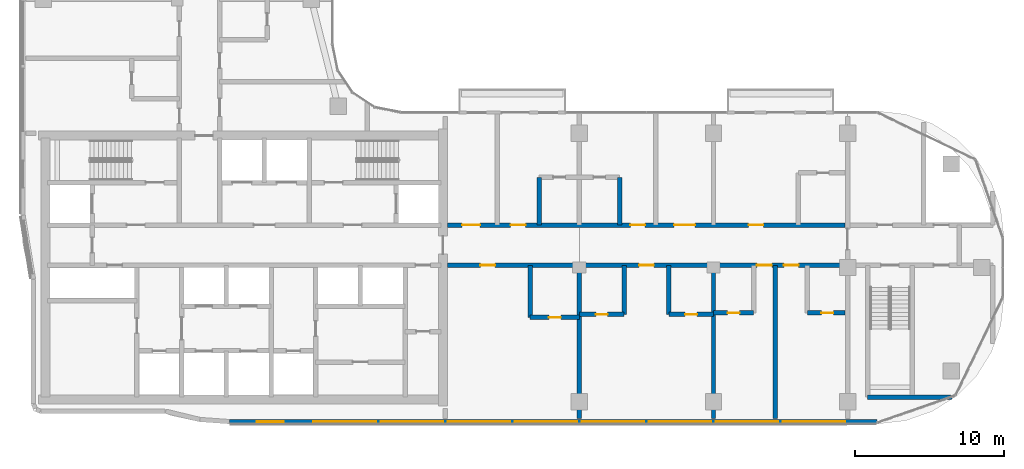
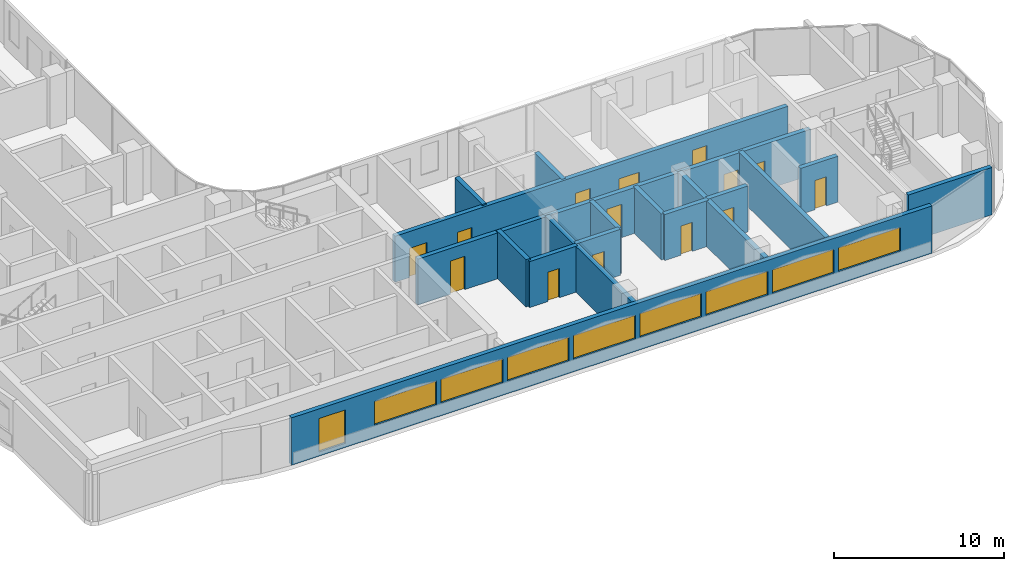
# One storey, part 9 of 22: 17 walls, 14 doors, 9 windows, 23 openings.
"""IFC4 building model written with IfcOpenShell, lengths in metres."""

from ifc_helpers import new_model, si_unit, direction, frame, frame_2d, origin, place, context, subcontext, project, spatial, rectangle, extrude, material, layer, layer_set, type_object, element, fill, save


model = new_model("IFC4")

# Units and contexts
model_context = context("Model", 3, precision=1e-05, world=origin(), true_north=direction((0.0, 1.0)))
body_context = subcontext(model_context, "Body", "Model", "MODEL_VIEW")
ifc_project = project(units=[si_unit("LENGTHUNIT", "METRE"), si_unit("AREAUNIT", "SQUARE_METRE"), si_unit("VOLUMEUNIT", "CUBIC_METRE"), si_unit("PLANEANGLEUNIT", "RADIAN"), si_unit("MASSUNIT", "GRAM", prefix="KILO")], contexts=[model_context])

# Site, building, storey
site_placement = place(None, origin())
site = spatial("IfcSite", under=ifc_project, at=site_placement, CompositionType="ELEMENT")
building_placement = place(site_placement, origin())
building = spatial("IfcBuilding", under=site, at=building_placement, Name="Ogive Portal Towers", CompositionType="ELEMENT")
storey_placement = place(building_placement, frame((0.0, 0.0, 145.89990234375)))
storey = spatial("IfcBuildingStorey", under=building, at=storey_placement, Name="L35", CompositionType="ELEMENT", Elevation=145.89990234375)

# Wall, openings, windows
ifc_material_1 = material(Name="Limestone cladding on lightweight block wall", Category="masonry")
ifc_layer_1 = layer(ifc_material_1, 0.300048828125)
ifc_layer_set_1 = layer_set([ifc_layer_1], Name="EXTERNAL WALL 300 STONE")
wall_type_1 = type_object("IfcWallType", Name="EXTERNAL WALL 300 STONE", PredefinedType="SOLIDWALL", material=ifc_layer_set_1)
wall_1_placement = place(storey_placement, frame((44.0107421875, 20.14990234375, 0.0), z_axis=(0.0, 0.0, 1.0), x_axis=(1.0, 0.0, 0.0)))
wall_1 = element("IfcWall", 1, at=wall_1_placement, inside=storey, type_object=wall_type_1, Name="A:L35:f06:r0:wall", PredefinedType="SOLIDWALL", context=body_context, shape_type="SweptSolid", body=[
    extrude(rectangle(XDim=43.4755859375, YDim=0.300048828125, at=frame_2d((21.73779296875, 0.0))), origin(), (0.0, 0.0, 1.0), 3.400146484375),
])
opening_1_placement = place(wall_1_placement, frame((1.8447265625, 0.0, 0.300048828125)))
opening_1 = element("IfcOpeningElement", 2, at=opening_1_placement, cuts=wall_1, Name="Opening WN10", PredefinedType="OPENING", context=body_context, shape_type="SweptSolid", body=[
    extrude(rectangle(XDim=1.800048828125, YDim=2.39990234375, at=frame_2d((0.89990234375, 1.199951171875))), frame((0.0, 0.16015625, 0.0), z_axis=(0.0, -1.0, 0.0), x_axis=(1.0, 0.0, 0.0)), (0.0, 0.0, 1.0), 0.320068359375),
])
opening_2_placement = place(wall_1_placement, frame((5.639404296875, 0.0, 0.89990234375)))
opening_2 = element("IfcOpeningElement", 3, at=opening_2_placement, cuts=wall_1, Name="Opening WN13", PredefinedType="OPENING", context=body_context, shape_type="SweptSolid", body=[
    extrude(rectangle(XDim=4.199951171875, YDim=1.699951171875, at=frame_2d((2.10009765625, 0.85009765625))), frame((0.0, 0.16015625, 0.0), z_axis=(0.0, -1.0, 0.0), x_axis=(1.0, 0.0, 0.0)), (0.0, 0.0, 1.0), 0.320068359375),
])
opening_3_placement = place(wall_1_placement, frame((10.139404296875, 0.0, 0.89990234375)))
opening_3 = element("IfcOpeningElement", 4, at=opening_3_placement, cuts=wall_1, Name="Opening WN13", PredefinedType="OPENING", context=body_context, shape_type="SweptSolid", body=[
    extrude(rectangle(XDim=4.199951171875, YDim=1.699951171875, at=frame_2d((2.10009765625, 0.85009765625))), frame((0.0, 0.16015625, 0.0), z_axis=(0.0, -1.0, 0.0), x_axis=(1.0, 0.0, 0.0)), (0.0, 0.0, 1.0), 0.320068359375),
])
opening_4_placement = place(wall_1_placement, frame((14.639404296875, 0.0, 0.89990234375)))
opening_4 = element("IfcOpeningElement", 5, at=opening_4_placement, cuts=wall_1, Name="Opening WN13", PredefinedType="OPENING", context=body_context, shape_type="SweptSolid", body=[
    extrude(rectangle(XDim=4.199951171875, YDim=1.699951171875, at=frame_2d((2.10009765625, 0.85009765625))), frame((0.0, 0.16015625, 0.0), z_axis=(0.0, -1.0, 0.0), x_axis=(1.0, 0.0, 0.0)), (0.0, 0.0, 1.0), 0.320068359375),
])
opening_5_placement = place(wall_1_placement, frame((19.139404296875, 0.0, 0.89990234375)))
opening_5 = element("IfcOpeningElement", 6, at=opening_5_placement, cuts=wall_1, Name="Opening WN13", PredefinedType="OPENING", context=body_context, shape_type="SweptSolid", body=[
    extrude(rectangle(XDim=4.199951171875, YDim=1.699951171875, at=frame_2d((2.10009765625, 0.85009765625))), frame((0.0, 0.16015625, 0.0), z_axis=(0.0, -1.0, 0.0), x_axis=(1.0, 0.0, 0.0)), (0.0, 0.0, 1.0), 0.320068359375),
])
opening_6_placement = place(wall_1_placement, frame((23.639404296875, 0.0, 0.89990234375)))
opening_6 = element("IfcOpeningElement", 7, at=opening_6_placement, cuts=wall_1, Name="Opening WN13", PredefinedType="OPENING", context=body_context, shape_type="SweptSolid", body=[
    extrude(rectangle(XDim=4.199951171875, YDim=1.699951171875, at=frame_2d((2.10009765625, 0.85009765625))), frame((0.0, 0.16015625, 0.0), z_axis=(0.0, -1.0, 0.0), x_axis=(1.0, 0.0, 0.0)), (0.0, 0.0, 1.0), 0.320068359375),
])
opening_7_placement = place(wall_1_placement, frame((28.139404296875, 0.0, 0.89990234375)))
opening_7 = element("IfcOpeningElement", 8, at=opening_7_placement, cuts=wall_1, Name="Opening WN13", PredefinedType="OPENING", context=body_context, shape_type="SweptSolid", body=[
    extrude(rectangle(XDim=4.199951171875, YDim=1.699951171875, at=frame_2d((2.10009765625, 0.85009765625))), frame((0.0, 0.16015625, 0.0), z_axis=(0.0, -1.0, 0.0), x_axis=(1.0, 0.0, 0.0)), (0.0, 0.0, 1.0), 0.320068359375),
])
opening_8_placement = place(wall_1_placement, frame((32.639404296875, 0.0, 0.89990234375)))
opening_8 = element("IfcOpeningElement", 9, at=opening_8_placement, cuts=wall_1, Name="Opening WN13", PredefinedType="OPENING", context=body_context, shape_type="SweptSolid", body=[
    extrude(rectangle(XDim=4.199951171875, YDim=1.699951171875, at=frame_2d((2.10009765625, 0.85009765625))), frame((0.0, 0.16015625, 0.0), z_axis=(0.0, -1.0, 0.0), x_axis=(1.0, 0.0, 0.0)), (0.0, 0.0, 1.0), 0.320068359375),
])
opening_9_placement = place(wall_1_placement, frame((37.139404296875, 0.0, 0.89990234375)))
opening_9 = element("IfcOpeningElement", 10, at=opening_9_placement, cuts=wall_1, Name="Opening WN13", PredefinedType="OPENING", context=body_context, shape_type="SweptSolid", body=[
    extrude(rectangle(XDim=4.199951171875, YDim=1.699951171875, at=frame_2d((2.10009765625, 0.85009765625))), frame((0.0, 0.16015625, 0.0), z_axis=(0.0, -1.0, 0.0), x_axis=(1.0, 0.0, 0.0)), (0.0, 0.0, 1.0), 0.320068359375),
])
ifc_material_2 = material(Name="Glass, clear low-iron insulated glazing", Category="glass")
window_type_1 = type_object("IfcWindowType", Name="WINDOW RIBBON LANCET 4200x1700", PartitioningType="TRIPLE_PANEL_VERTICAL", PredefinedType="WINDOW", material=ifc_material_2)
window_1_placement = place(opening_2_placement, origin())
window_1 = element("IfcWindow", 11, at=window_1_placement, inside=storey, type_object=window_type_1, Name="A:L35:f06:r0:w1", OverallHeight=1.699951171875, OverallWidth=4.199951171875, PartitioningType="SINGLE_PANEL", PredefinedType="WINDOW", context=body_context, shape_type="SweptSolid", body=[
    extrude(rectangle(XDim=4.199951171875, YDim=1.699951171875, at=frame_2d((2.10009765625, 0.85009765625))), frame((0.0, 0.030029296875, 0.0), z_axis=(0.0, -1.0, 0.0), x_axis=(1.0, 0.0, 0.0)), (0.0, 0.0, 1.0), 0.06005859375),
])
fill(opening_2, window_1)
window_2_placement = place(opening_3_placement, origin())
window_2 = element("IfcWindow", 12, at=window_2_placement, inside=storey, type_object=window_type_1, Name="A:L35:f06:r0:w2", OverallHeight=1.699951171875, OverallWidth=4.199951171875, PartitioningType="SINGLE_PANEL", PredefinedType="WINDOW", context=body_context, shape_type="SweptSolid", body=[
    extrude(rectangle(XDim=4.199951171875, YDim=1.699951171875, at=frame_2d((2.10009765625, 0.85009765625))), frame((0.0, 0.030029296875, 0.0), z_axis=(0.0, -1.0, 0.0), x_axis=(1.0, 0.0, 0.0)), (0.0, 0.0, 1.0), 0.06005859375),
])
fill(opening_3, window_2)
window_3_placement = place(opening_4_placement, origin())
window_3 = element("IfcWindow", 13, at=window_3_placement, inside=storey, type_object=window_type_1, Name="A:L35:f06:r0:w3", OverallHeight=1.699951171875, OverallWidth=4.199951171875, PartitioningType="SINGLE_PANEL", PredefinedType="WINDOW", context=body_context, shape_type="SweptSolid", body=[
    extrude(rectangle(XDim=4.199951171875, YDim=1.699951171875, at=frame_2d((2.10009765625, 0.85009765625))), frame((0.0, 0.030029296875, 0.0), z_axis=(0.0, -1.0, 0.0), x_axis=(1.0, 0.0, 0.0)), (0.0, 0.0, 1.0), 0.06005859375),
])
fill(opening_4, window_3)
window_4_placement = place(opening_5_placement, origin())
window_4 = element("IfcWindow", 14, at=window_4_placement, inside=storey, type_object=window_type_1, Name="A:L35:f06:r0:w4", OverallHeight=1.699951171875, OverallWidth=4.199951171875, PartitioningType="SINGLE_PANEL", PredefinedType="WINDOW", context=body_context, shape_type="SweptSolid", body=[
    extrude(rectangle(XDim=4.199951171875, YDim=1.699951171875, at=frame_2d((2.10009765625, 0.85009765625))), frame((0.0, 0.030029296875, 0.0), z_axis=(0.0, -1.0, 0.0), x_axis=(1.0, 0.0, 0.0)), (0.0, 0.0, 1.0), 0.06005859375),
])
fill(opening_5, window_4)
window_5_placement = place(opening_6_placement, origin())
window_5 = element("IfcWindow", 15, at=window_5_placement, inside=storey, type_object=window_type_1, Name="A:L35:f06:r0:w5", OverallHeight=1.699951171875, OverallWidth=4.199951171875, PartitioningType="SINGLE_PANEL", PredefinedType="WINDOW", context=body_context, shape_type="SweptSolid", body=[
    extrude(rectangle(XDim=4.199951171875, YDim=1.699951171875, at=frame_2d((2.10009765625, 0.85009765625))), frame((0.0, 0.030029296875, 0.0), z_axis=(0.0, -1.0, 0.0), x_axis=(1.0, 0.0, 0.0)), (0.0, 0.0, 1.0), 0.06005859375),
])
fill(opening_6, window_5)
window_6_placement = place(opening_7_placement, origin())
window_6 = element("IfcWindow", 16, at=window_6_placement, inside=storey, type_object=window_type_1, Name="A:L35:f06:r0:w6", OverallHeight=1.699951171875, OverallWidth=4.199951171875, PartitioningType="SINGLE_PANEL", PredefinedType="WINDOW", context=body_context, shape_type="SweptSolid", body=[
    extrude(rectangle(XDim=4.199951171875, YDim=1.699951171875, at=frame_2d((2.10009765625, 0.85009765625))), frame((0.0, 0.030029296875, 0.0), z_axis=(0.0, -1.0, 0.0), x_axis=(1.0, 0.0, 0.0)), (0.0, 0.0, 1.0), 0.06005859375),
])
fill(opening_7, window_6)
window_7_placement = place(opening_8_placement, origin())
window_7 = element("IfcWindow", 17, at=window_7_placement, inside=storey, type_object=window_type_1, Name="A:L35:f06:r0:w7", OverallHeight=1.699951171875, OverallWidth=4.199951171875, PartitioningType="SINGLE_PANEL", PredefinedType="WINDOW", context=body_context, shape_type="SweptSolid", body=[
    extrude(rectangle(XDim=4.199951171875, YDim=1.699951171875, at=frame_2d((2.10009765625, 0.85009765625))), frame((0.0, 0.030029296875, 0.0), z_axis=(0.0, -1.0, 0.0), x_axis=(1.0, 0.0, 0.0)), (0.0, 0.0, 1.0), 0.06005859375),
])
fill(opening_8, window_7)
window_8_placement = place(opening_9_placement, origin())
window_8 = element("IfcWindow", 18, at=window_8_placement, inside=storey, type_object=window_type_1, Name="A:L35:f06:r0:w8", OverallHeight=1.699951171875, OverallWidth=4.199951171875, PartitioningType="SINGLE_PANEL", PredefinedType="WINDOW", context=body_context, shape_type="SweptSolid", body=[
    extrude(rectangle(XDim=4.199951171875, YDim=1.699951171875, at=frame_2d((2.10009765625, 0.85009765625))), frame((0.0, 0.030029296875, 0.0), z_axis=(0.0, -1.0, 0.0), x_axis=(1.0, 0.0, 0.0)), (0.0, 0.0, 1.0), 0.06005859375),
])
fill(opening_9, window_8)
window_type_2 = type_object("IfcWindowType", Name="WINDOW SUITE CORNER 1800x2400", PartitioningType="DOUBLE_PANEL_VERTICAL", PredefinedType="WINDOW", material=ifc_material_2)
window_9_placement = place(opening_1_placement, origin())
window_9 = element("IfcWindow", 19, at=window_9_placement, inside=storey, type_object=window_type_2, Name="A:L35:f06:r0:w0", OverallHeight=2.39990234375, OverallWidth=1.800048828125, PartitioningType="SINGLE_PANEL", PredefinedType="WINDOW", context=body_context, shape_type="SweptSolid", body=[
    extrude(rectangle(XDim=1.800048828125, YDim=2.39990234375, at=frame_2d((0.89990234375, 1.199951171875))), frame((0.0, 0.030029296875, 0.0), z_axis=(0.0, -1.0, 0.0), x_axis=(1.0, 0.0, 0.0)), (0.0, 0.0, 1.0), 0.06005859375),
])
fill(opening_1, window_9)

# Wall
ifc_material_3 = material(Name="Concrete C50/60", Category="concrete")
ifc_layer_2 = layer(ifc_material_3, 0.300048828125)
ifc_layer_set_2 = layer_set([ifc_layer_2], Name="STAIR WALL 300 C50")
wall_type_2 = type_object("IfcWallType", Name="STAIR WALL 300 C50", PredefinedType="SHEAR", material=ifc_layer_set_2)
wall_2_placement = place(storey_placement, frame((86.85009765625, 21.800048828125, 0.0), z_axis=(0.0, 0.0, 1.0), x_axis=(1.0, 0.0, 0.0)))
element("IfcWall", 20, at=wall_2_placement, inside=storey, type_object=wall_type_2, Name="Stair wall ST-A4 L35", PredefinedType="SHEAR", context=body_context, shape_type="SweptSolid", body=[
    extrude(rectangle(XDim=5.664794921875, YDim=0.300048828125, at=frame_2d((2.83251953125, 0.0))), origin(), (0.0, 0.0, 1.0), 3.400146484375),
])

# Wall, openings, doors
ifc_material_4 = material(Name="Gypsum board partition on steel studs", Category="steel")
ifc_layer_3 = layer(ifc_material_4, 0.300048828125)
ifc_layer_set_3 = layer_set([ifc_layer_3], Name="WT-PART-300-EI 120")
wall_type_3 = type_object("IfcWallType", Name="WT-PART-300-EI 120", PredefinedType="PARTITIONING", material=ifc_layer_set_3)
wall_3_placement = place(storey_placement, frame((58.64990234375, 30.64990234375, 0.0), z_axis=(0.0, 0.0, 1.0), x_axis=(1.0, 0.0, 0.0)))
wall_3 = element("IfcWall", 21, at=wall_3_placement, inside=storey, type_object=wall_type_3, Name="Wall L35:w007", PredefinedType="PARTITIONING", context=body_context, shape_type="SweptSolid", body=[
    extrude(rectangle(XDim=26.68017578125, YDim=0.300048828125, at=frame_2d((13.340087890625, 0.0))), origin(), (0.0, 0.0, 1.0), 3.300048828125),
])
opening_10_placement = place(wall_3_placement, frame((2.199951171875, 0.0, 0.0)))
opening_10 = element("IfcOpeningElement", 22, at=opening_10_placement, cuts=wall_3, Name="Opening D13-030", PredefinedType="OPENING", context=body_context, shape_type="SweptSolid", body=[
    extrude(rectangle(XDim=1.0, YDim=2.39990234375, at=frame_2d((0.5, 1.199951171875))), frame((0.0, 0.16015625, 0.0), z_axis=(0.0, -1.0, 0.0), x_axis=(1.0, 0.0, 0.0)), (0.0, 0.0, 1.0), 0.320068359375),
])
opening_11_placement = place(wall_3_placement, frame((12.85009765625, 0.0, 0.0)))
opening_11 = element("IfcOpeningElement", 23, at=opening_11_placement, cuts=wall_3, Name="Opening D13-036", PredefinedType="OPENING", context=body_context, shape_type="SweptSolid", body=[
    extrude(rectangle(XDim=1.0, YDim=2.39990234375, at=frame_2d((0.5, 1.199951171875))), frame((0.0, 0.16015625, 0.0), z_axis=(0.0, -1.0, 0.0), x_axis=(1.0, 0.0, 0.0)), (0.0, 0.0, 1.0), 0.320068359375),
])
opening_12_placement = place(wall_3_placement, frame((20.77001953125, 0.0, 0.0)))
opening_12 = element("IfcOpeningElement", 24, at=opening_12_placement, cuts=wall_3, Name="Opening D13-040", PredefinedType="OPENING", context=body_context, shape_type="SweptSolid", body=[
    extrude(rectangle(XDim=1.0, YDim=2.10009765625, at=frame_2d((0.5, 1.050048828125))), frame((0.0, 0.16015625, 0.0), z_axis=(0.0, -1.0, 0.0), x_axis=(1.0, 0.0, 0.0)), (0.0, 0.0, 1.0), 0.320068359375),
])
opening_13_placement = place(wall_3_placement, frame((22.570068359375, 0.0, 0.0)))
opening_13 = element("IfcOpeningElement", 25, at=opening_13_placement, cuts=wall_3, Name="Opening D13-042", PredefinedType="OPENING", context=body_context, shape_type="SweptSolid", body=[
    extrude(rectangle(XDim=1.0, YDim=2.10009765625, at=frame_2d((0.5, 1.050048828125))), frame((0.0, 0.16015625, 0.0), z_axis=(0.0, -1.0, 0.0), x_axis=(1.0, 0.0, 0.0)), (0.0, 0.0, 1.0), 0.320068359375),
])
ifc_material_5 = material(Name="Steel fire door", Category="steel")
door_type_1 = type_object("IfcDoorType", Name="DT-ENTRY-1000x2100-FD90S", OperationType="SINGLE_SWING_LEFT", PredefinedType="DOOR", material=ifc_material_5)
door_1_placement = place(opening_12_placement, origin())
door_1 = element("IfcDoor", 26, at=door_1_placement, inside=storey, type_object=door_type_1, Name="Door D13-040", OperationType="SINGLE_SWING_LEFT", OverallHeight=2.10009765625, OverallWidth=1.0, PredefinedType="DOOR", context=body_context, shape_type="SweptSolid", body=[
    extrude(rectangle(XDim=1.0, YDim=2.10009765625, at=frame_2d((0.5, 1.050048828125))), frame((0.0, 0.02490234375, 0.0), z_axis=(0.0, -1.0, 0.0), x_axis=(1.0, 0.0, 0.0)), (0.0, 0.0, 1.0), 0.050048828125),
])
fill(opening_12, door_1)
door_2_placement = place(opening_13_placement, origin())
door_2 = element("IfcDoor", 27, at=door_2_placement, inside=storey, type_object=door_type_1, Name="Door D13-042", OperationType="SINGLE_SWING_LEFT", OverallHeight=2.10009765625, OverallWidth=1.0, PredefinedType="DOOR", context=body_context, shape_type="SweptSolid", body=[
    extrude(rectangle(XDim=1.0, YDim=2.10009765625, at=frame_2d((0.5, 1.050048828125))), frame((0.0, 0.02490234375, 0.0), z_axis=(0.0, -1.0, 0.0), x_axis=(1.0, 0.0, 0.0)), (0.0, 0.0, 1.0), 0.050048828125),
])
fill(opening_13, door_2)
door_type_2 = type_object("IfcDoorType", Name="DT-ENTRY-1000x2400-FD90S", OperationType="SINGLE_SWING_LEFT", PredefinedType="DOOR", material=ifc_material_5)
door_3_placement = place(opening_10_placement, origin())
door_3 = element("IfcDoor", 28, at=door_3_placement, inside=storey, type_object=door_type_2, Name="Door D13-030", OperationType="SINGLE_SWING_LEFT", OverallHeight=2.39990234375, OverallWidth=1.0, PredefinedType="DOOR", context=body_context, shape_type="SweptSolid", body=[
    extrude(rectangle(XDim=1.0, YDim=2.39990234375, at=frame_2d((0.5, 1.199951171875))), frame((0.0, 0.02490234375, 0.0), z_axis=(0.0, -1.0, 0.0), x_axis=(1.0, 0.0, 0.0)), (0.0, 0.0, 1.0), 0.050048828125),
])
fill(opening_10, door_3)
door_4_placement = place(opening_11_placement, origin())
door_4 = element("IfcDoor", 29, at=door_4_placement, inside=storey, type_object=door_type_2, Name="Door D13-036", OperationType="SINGLE_SWING_RIGHT", OverallHeight=2.39990234375, OverallWidth=1.0, PredefinedType="DOOR", context=body_context, shape_type="SweptSolid", body=[
    extrude(rectangle(XDim=1.0, YDim=2.39990234375, at=frame_2d((0.5, 1.199951171875))), frame((0.0, 0.02490234375, 0.0), z_axis=(0.0, -1.0, 0.0), x_axis=(1.0, 0.0, 0.0)), (0.0, 0.0, 1.0), 0.050048828125),
])
fill(opening_11, door_4)

wall_4_placement = place(storey_placement, frame((58.64990234375, 33.35009765625, 0.0), z_axis=(0.0, 0.0, 1.0), x_axis=(1.0, 0.0, 0.0)))
wall_4 = element("IfcWall", 30, at=wall_4_placement, inside=storey, type_object=wall_type_3, Name="Wall L35:w009", PredefinedType="PARTITIONING", context=body_context, shape_type="SweptSolid", body=[
    extrude(rectangle(XDim=26.68017578125, YDim=0.300048828125, at=frame_2d((13.340087890625, 0.0))), origin(), (0.0, 0.0, 1.0), 3.300048828125),
])
opening_14_placement = place(wall_4_placement, frame((0.985107421875, 0.0, 0.0)))
opening_14 = element("IfcOpeningElement", 31, at=opening_14_placement, cuts=wall_4, Name="Opening D13-026", PredefinedType="OPENING", context=body_context, shape_type="SweptSolid", body=[
    extrude(rectangle(XDim=1.199951171875, YDim=2.10009765625, at=frame_2d((0.60009765625, 1.050048828125))), frame((0.0, 0.16015625, 0.0), z_axis=(0.0, -1.0, 0.0), x_axis=(1.0, 0.0, 0.0)), (0.0, 0.0, 1.0), 0.320068359375),
])
opening_15_placement = place(wall_4_placement, frame((4.235107421875, 0.0, 0.0)))
opening_15 = element("IfcOpeningElement", 32, at=opening_15_placement, cuts=wall_4, Name="Opening D13-028", PredefinedType="OPENING", context=body_context, shape_type="SweptSolid", body=[
    extrude(rectangle(XDim=1.0, YDim=2.10009765625, at=frame_2d((0.5, 1.050048828125))), frame((0.0, 0.16015625, 0.0), z_axis=(0.0, -1.0, 0.0), x_axis=(1.0, 0.0, 0.0)), (0.0, 0.0, 1.0), 0.320068359375),
])
opening_16_placement = place(wall_4_placement, frame((12.264892578125, 0.0, 0.0)))
opening_16 = element("IfcOpeningElement", 33, at=opening_16_placement, cuts=wall_4, Name="Opening D13-032", PredefinedType="OPENING", context=body_context, shape_type="SweptSolid", body=[
    extrude(rectangle(XDim=1.0, YDim=2.10009765625, at=frame_2d((0.5, 1.050048828125))), frame((0.0, 0.16015625, 0.0), z_axis=(0.0, -1.0, 0.0), x_axis=(1.0, 0.0, 0.0)), (0.0, 0.0, 1.0), 0.320068359375),
])
opening_17_placement = place(wall_4_placement, frame((15.215087890625, 0.0, 0.0)))
opening_17 = element("IfcOpeningElement", 34, at=opening_17_placement, cuts=wall_4, Name="Opening D13-033", PredefinedType="OPENING", context=body_context, shape_type="SweptSolid", body=[
    extrude(rectangle(XDim=1.39990234375, YDim=2.10009765625, at=frame_2d((0.699951171875, 1.050048828125))), frame((0.0, 0.16015625, 0.0), z_axis=(0.0, -1.0, 0.0), x_axis=(1.0, 0.0, 0.0)), (0.0, 0.0, 1.0), 0.320068359375),
])
opening_18_placement = place(wall_4_placement, frame((20.199951171875, 0.0, 0.0)))
opening_18 = element("IfcOpeningElement", 35, at=opening_18_placement, cuts=wall_4, Name="Opening D13-038", PredefinedType="OPENING", context=body_context, shape_type="SweptSolid", body=[
    extrude(rectangle(XDim=1.0, YDim=2.39990234375, at=frame_2d((0.5, 1.199951171875))), frame((0.0, 0.16015625, 0.0), z_axis=(0.0, -1.0, 0.0), x_axis=(1.0, 0.0, 0.0)), (0.0, 0.0, 1.0), 0.320068359375),
])
door_5_placement = place(opening_15_placement, origin())
door_5 = element("IfcDoor", 36, at=door_5_placement, inside=storey, type_object=door_type_1, Name="Door D13-028", OperationType="SINGLE_SWING_LEFT", OverallHeight=2.10009765625, OverallWidth=1.0, PredefinedType="DOOR", context=body_context, shape_type="SweptSolid", body=[
    extrude(rectangle(XDim=1.0, YDim=2.10009765625, at=frame_2d((0.5, 1.050048828125))), frame((0.0, 0.02490234375, 0.0), z_axis=(0.0, -1.0, 0.0), x_axis=(1.0, 0.0, 0.0)), (0.0, 0.0, 1.0), 0.050048828125),
])
fill(opening_15, door_5)
door_6_placement = place(opening_16_placement, origin())
door_6 = element("IfcDoor", 37, at=door_6_placement, inside=storey, type_object=door_type_1, Name="Door D13-032", OperationType="SINGLE_SWING_RIGHT", OverallHeight=2.10009765625, OverallWidth=1.0, PredefinedType="DOOR", context=body_context, shape_type="SweptSolid", body=[
    extrude(rectangle(XDim=1.0, YDim=2.10009765625, at=frame_2d((0.5, 1.050048828125))), frame((0.0, 0.02490234375, 0.0), z_axis=(0.0, -1.0, 0.0), x_axis=(1.0, 0.0, 0.0)), (0.0, 0.0, 1.0), 0.050048828125),
])
fill(opening_16, door_6)
door_7_placement = place(opening_18_placement, origin())
door_7 = element("IfcDoor", 38, at=door_7_placement, inside=storey, type_object=door_type_2, Name="Door D13-038", OperationType="SINGLE_SWING_RIGHT", OverallHeight=2.39990234375, OverallWidth=1.0, PredefinedType="DOOR", context=body_context, shape_type="SweptSolid", body=[
    extrude(rectangle(XDim=1.0, YDim=2.39990234375, at=frame_2d((0.5, 1.199951171875))), frame((0.0, 0.02490234375, 0.0), z_axis=(0.0, -1.0, 0.0), x_axis=(1.0, 0.0, 0.0)), (0.0, 0.0, 1.0), 0.050048828125),
])
fill(opening_18, door_7)
door_type_3 = type_object("IfcDoorType", Name="DT-ENTRY-1200x2100-FD90S", OperationType="SINGLE_SWING_LEFT", PredefinedType="DOOR", material=ifc_material_5)
door_8_placement = place(opening_14_placement, origin())
door_8 = element("IfcDoor", 39, at=door_8_placement, inside=storey, type_object=door_type_3, Name="Door D13-026", OperationType="SINGLE_SWING_LEFT", OverallHeight=2.10009765625, OverallWidth=1.199951171875, PredefinedType="DOOR", context=body_context, shape_type="SweptSolid", body=[
    extrude(rectangle(XDim=1.199951171875, YDim=2.10009765625, at=frame_2d((0.60009765625, 1.050048828125))), frame((0.0, 0.02490234375, 0.0), z_axis=(0.0, -1.0, 0.0), x_axis=(1.0, 0.0, 0.0)), (0.0, 0.0, 1.0), 0.050048828125),
])
fill(opening_14, door_8)
door_type_4 = type_object("IfcDoorType", Name="DT-ENTRY-1400x2100-FD90S", OperationType="SINGLE_SWING_LEFT", PredefinedType="DOOR", material=ifc_material_5)
door_9_placement = place(opening_17_placement, origin())
door_9 = element("IfcDoor", 40, at=door_9_placement, inside=storey, type_object=door_type_4, Name="Door D13-033", OperationType="SINGLE_SWING_LEFT", OverallHeight=2.10009765625, OverallWidth=1.39990234375, PredefinedType="DOOR", context=body_context, shape_type="SweptSolid", body=[
    extrude(rectangle(XDim=1.39990234375, YDim=2.10009765625, at=frame_2d((0.699951171875, 1.050048828125))), frame((0.0, 0.02490234375, 0.0), z_axis=(0.0, -1.0, 0.0), x_axis=(1.0, 0.0, 0.0)), (0.0, 0.0, 1.0), 0.050048828125),
])
fill(opening_17, door_9)

# Wall, opening, door
ifc_layer_4 = layer(ifc_material_4, 0.300048828125)
ifc_layer_set_4 = layer_set([ifc_layer_4], Name="WT-PART-300-EI 60")
wall_type_4 = type_object("IfcWallType", Name="WT-PART-300-EI 60", PredefinedType="PARTITIONING", material=ifc_layer_set_4)
wall_5_placement = place(storey_placement, frame((64.199951171875, 27.14990234375, 0.0), z_axis=(0.0, 0.0, 1.0), x_axis=(1.0, 0.0, 0.0)))
wall_5 = element("IfcWall", 41, at=wall_5_placement, inside=storey, type_object=wall_type_4, Name="Wall L35:w002", PredefinedType="PARTITIONING", context=body_context, shape_type="SweptSolid", body=[
    extrude(rectangle(XDim=3.300048828125, YDim=0.300048828125, at=frame_2d((1.64990234375, 0.0))), origin(), (0.0, 0.0, 1.0), 3.300048828125),
])
opening_19_placement = place(wall_5_placement, frame((1.25, 0.0, 0.0)))
opening_19 = element("IfcOpeningElement", 42, at=opening_19_placement, cuts=wall_5, Name="Opening D13-029", PredefinedType="OPENING", context=body_context, shape_type="SweptSolid", body=[
    extrude(rectangle(XDim=0.800048828125, YDim=2.10009765625, at=frame_2d((0.39990234375, 1.050048828125))), frame((0.0, 0.16015625, 0.0), z_axis=(0.0, -1.0, 0.0), x_axis=(1.0, 0.0, 0.0)), (0.0, 0.0, 1.0), 0.320068359375),
])
door_type_5 = type_object("IfcDoorType", Name="DT-BATH-800x2100-FD60S", OperationType="SINGLE_SWING_LEFT", PredefinedType="DOOR", material=ifc_material_5)
door_10_placement = place(opening_19_placement, origin())
door_10 = element("IfcDoor", 43, at=door_10_placement, inside=storey, type_object=door_type_5, Name="Door D13-029", OperationType="SINGLE_SWING_LEFT", OverallHeight=2.10009765625, OverallWidth=0.800048828125, PredefinedType="DOOR", context=body_context, shape_type="SweptSolid", body=[
    extrude(rectangle(XDim=0.800048828125, YDim=2.10009765625, at=frame_2d((0.39990234375, 1.050048828125))), frame((0.0, 0.02490234375, 0.0), z_axis=(0.0, -1.0, 0.0), x_axis=(1.0, 0.0, 0.0)), (0.0, 0.0, 1.0), 0.050048828125),
])
fill(opening_19, door_10)

wall_6_placement = place(storey_placement, frame((67.5, 27.35009765625, 0.0), z_axis=(0.0, 0.0, 1.0), x_axis=(1.0, 0.0, 0.0)))
wall_6 = element("IfcWall", 44, at=wall_6_placement, inside=storey, type_object=wall_type_4, Name="Wall L35:w003", PredefinedType="PARTITIONING", context=body_context, shape_type="SweptSolid", body=[
    extrude(rectangle(XDim=3.0, YDim=0.300048828125, at=frame_2d((1.5, 0.0))), origin(), (0.0, 0.0, 1.0), 3.300048828125),
])
opening_20_placement = place(wall_6_placement, frame((1.10009765625, 0.0, 0.0)))
opening_20 = element("IfcOpeningElement", 45, at=opening_20_placement, cuts=wall_6, Name="Opening D13-034", PredefinedType="OPENING", context=body_context, shape_type="SweptSolid", body=[
    extrude(rectangle(XDim=0.800048828125, YDim=2.10009765625, at=frame_2d((0.39990234375, 1.050048828125))), frame((0.0, 0.16015625, 0.0), z_axis=(0.0, -1.0, 0.0), x_axis=(1.0, 0.0, 0.0)), (0.0, 0.0, 1.0), 0.320068359375),
])
door_11_placement = place(opening_20_placement, origin())
door_11 = element("IfcDoor", 46, at=door_11_placement, inside=storey, type_object=door_type_5, Name="Door D13-034", OperationType="SINGLE_SWING_LEFT", OverallHeight=2.10009765625, OverallWidth=0.800048828125, PredefinedType="DOOR", context=body_context, shape_type="SweptSolid", body=[
    extrude(rectangle(XDim=0.800048828125, YDim=2.10009765625, at=frame_2d((0.39990234375, 1.050048828125))), frame((0.0, 0.02490234375, 0.0), z_axis=(0.0, -1.0, 0.0), x_axis=(1.0, 0.0, 0.0)), (0.0, 0.0, 1.0), 0.050048828125),
])
fill(opening_20, door_11)

wall_7_placement = place(storey_placement, frame((73.5, 27.35009765625, 0.0), z_axis=(0.0, 0.0, 1.0), x_axis=(1.0, 0.0, 0.0)))
wall_7 = element("IfcWall", 47, at=wall_7_placement, inside=storey, type_object=wall_type_4, Name="Wall L35:w004", PredefinedType="PARTITIONING", context=body_context, shape_type="SweptSolid", body=[
    extrude(rectangle(XDim=3.0, YDim=0.300048828125, at=frame_2d((1.5, 0.0))), origin(), (0.0, 0.0, 1.0), 3.300048828125),
])
opening_21_placement = place(wall_7_placement, frame((1.10009765625, 0.0, 0.0)))
opening_21 = element("IfcOpeningElement", 48, at=opening_21_placement, cuts=wall_7, Name="Opening D13-035", PredefinedType="OPENING", context=body_context, shape_type="SweptSolid", body=[
    extrude(rectangle(XDim=0.800048828125, YDim=2.10009765625, at=frame_2d((0.39990234375, 1.050048828125))), frame((0.0, 0.16015625, 0.0), z_axis=(0.0, -1.0, 0.0), x_axis=(1.0, 0.0, 0.0)), (0.0, 0.0, 1.0), 0.320068359375),
])
door_12_placement = place(opening_21_placement, origin())
door_12 = element("IfcDoor", 49, at=door_12_placement, inside=storey, type_object=door_type_5, Name="Door D13-035", OperationType="SINGLE_SWING_LEFT", OverallHeight=2.10009765625, OverallWidth=0.800048828125, PredefinedType="DOOR", context=body_context, shape_type="SweptSolid", body=[
    extrude(rectangle(XDim=0.800048828125, YDim=2.10009765625, at=frame_2d((0.39990234375, 1.050048828125))), frame((0.0, 0.02490234375, 0.0), z_axis=(0.0, -1.0, 0.0), x_axis=(1.0, 0.0, 0.0)), (0.0, 0.0, 1.0), 0.050048828125),
])
fill(opening_21, door_12)

wall_8_placement = place(storey_placement, frame((76.5, 27.449951171875, 0.0), z_axis=(0.0, 0.0, 1.0), x_axis=(1.0, 0.0, 0.0)))
wall_8 = element("IfcWall", 50, at=wall_8_placement, inside=storey, type_object=wall_type_4, Name="Wall L35:w005", PredefinedType="PARTITIONING", context=body_context, shape_type="SweptSolid", body=[
    extrude(rectangle(XDim=2.699951171875, YDim=0.300048828125, at=frame_2d((1.35009765625, 0.0))), origin(), (0.0, 0.0, 1.0), 3.300048828125),
])
opening_22_placement = place(wall_8_placement, frame((0.949951171875, 0.0, 0.0)))
opening_22 = element("IfcOpeningElement", 51, at=opening_22_placement, cuts=wall_8, Name="Opening D13-039", PredefinedType="OPENING", context=body_context, shape_type="SweptSolid", body=[
    extrude(rectangle(XDim=0.800048828125, YDim=2.10009765625, at=frame_2d((0.39990234375, 1.050048828125))), frame((0.0, 0.16015625, 0.0), z_axis=(0.0, -1.0, 0.0), x_axis=(1.0, 0.0, 0.0)), (0.0, 0.0, 1.0), 0.320068359375),
])
door_13_placement = place(opening_22_placement, origin())
door_13 = element("IfcDoor", 52, at=door_13_placement, inside=storey, type_object=door_type_5, Name="Door D13-039", OperationType="SINGLE_SWING_RIGHT", OverallHeight=2.10009765625, OverallWidth=0.800048828125, PredefinedType="DOOR", context=body_context, shape_type="SweptSolid", body=[
    extrude(rectangle(XDim=0.800048828125, YDim=2.10009765625, at=frame_2d((0.39990234375, 1.050048828125))), frame((0.0, 0.02490234375, 0.0), z_axis=(0.0, -1.0, 0.0), x_axis=(1.0, 0.0, 0.0)), (0.0, 0.0, 1.0), 0.050048828125),
])
fill(opening_22, door_13)

wall_9_placement = place(storey_placement, frame((82.800048828125, 27.449951171875, 0.0), z_axis=(0.0, 0.0, 1.0), x_axis=(1.0, 0.0, 0.0)))
wall_9 = element("IfcWall", 53, at=wall_9_placement, inside=storey, type_object=wall_type_4, Name="Wall L35:w006", PredefinedType="PARTITIONING", context=body_context, shape_type="SweptSolid", body=[
    extrude(rectangle(XDim=2.530029296875, YDim=0.300048828125, at=frame_2d((1.26513671875, 0.0))), origin(), (0.0, 0.0, 1.0), 3.300048828125),
])
opening_23_placement = place(wall_9_placement, frame((0.949951171875, 0.0, 0.0)))
opening_23 = element("IfcOpeningElement", 54, at=opening_23_placement, cuts=wall_9, Name="Opening D13-041", PredefinedType="OPENING", context=body_context, shape_type="SweptSolid", body=[
    extrude(rectangle(XDim=0.800048828125, YDim=2.10009765625, at=frame_2d((0.39990234375, 1.050048828125))), frame((0.0, 0.16015625, 0.0), z_axis=(0.0, -1.0, 0.0), x_axis=(1.0, 0.0, 0.0)), (0.0, 0.0, 1.0), 0.320068359375),
])
door_14_placement = place(opening_23_placement, origin())
door_14 = element("IfcDoor", 55, at=door_14_placement, inside=storey, type_object=door_type_5, Name="Door D13-041", OperationType="SINGLE_SWING_LEFT", OverallHeight=2.10009765625, OverallWidth=0.800048828125, PredefinedType="DOOR", context=body_context, shape_type="SweptSolid", body=[
    extrude(rectangle(XDim=0.800048828125, YDim=2.10009765625, at=frame_2d((0.39990234375, 1.050048828125))), frame((0.0, 0.02490234375, 0.0), z_axis=(0.0, -1.0, 0.0), x_axis=(1.0, 0.0, 0.0)), (0.0, 0.0, 1.0), 0.050048828125),
])
fill(opening_23, door_14)

# Walls
wall_10_placement = place(storey_placement, frame((64.199951171875, 27.14990234375, 0.0), z_axis=(0.0, 0.0, 1.0), x_axis=(0.0, 1.0, 0.0)))
element("IfcWall", 56, at=wall_10_placement, inside=storey, type_object=wall_type_4, Name="Wall L35:w045", PredefinedType="PARTITIONING", context=body_context, shape_type="SweptSolid", body=[
    extrude(rectangle(XDim=3.5, YDim=0.300048828125, at=frame_2d((1.75, 0.0))), origin(), (0.0, 0.0, 1.0), 3.400146484375),
])
wall_11_placement = place(storey_placement, frame((64.800048828125, 33.35009765625, 0.0), z_axis=(0.0, 0.0, 1.0), x_axis=(0.0, 1.0, 0.0)))
element("IfcWall", 57, at=wall_11_placement, inside=storey, type_object=wall_type_4, Name="Wall L35:w046", PredefinedType="PARTITIONING", context=body_context, shape_type="SweptSolid", body=[
    extrude(rectangle(XDim=3.199951171875, YDim=0.300048828125, at=frame_2d((1.60009765625, 0.0))), origin(), (0.0, 0.0, 1.0), 3.400146484375),
])
wall_12_placement = place(storey_placement, frame((67.5, 20.35009765625, 0.0), z_axis=(0.0, 0.0, 1.0), x_axis=(0.0, 1.0, 0.0)))
element("IfcWall", 58, at=wall_12_placement, inside=storey, type_object=wall_type_4, Name="Wall L35:w047", PredefinedType="PARTITIONING", context=body_context, shape_type="SweptSolid", body=[
    extrude(rectangle(XDim=10.2998046875, YDim=0.300048828125, at=frame_2d((5.14990234375, 0.0))), origin(), (0.0, 0.0, 1.0), 3.300048828125),
])
wall_13_placement = place(storey_placement, frame((70.199951171875, 33.35009765625, 0.0), z_axis=(0.0, 0.0, 1.0), x_axis=(0.0, 1.0, 0.0)))
element("IfcWall", 59, at=wall_13_placement, inside=storey, type_object=wall_type_4, Name="Wall L35:w049", PredefinedType="PARTITIONING", context=body_context, shape_type="SweptSolid", body=[
    extrude(rectangle(XDim=3.199951171875, YDim=0.300048828125, at=frame_2d((1.60009765625, 0.0))), origin(), (0.0, 0.0, 1.0), 3.300048828125),
])
for number, where, z_axis, x_axis, name in (
    (60, (70.5, 27.35009765625, 0.0), (0.0, 0.0, 1.0), (0.0, 1.0, 0.0), "Wall L35:w050"),
    (61, (73.5, 27.35009765625, 0.0), (0.0, 0.0, 1.0), (0.0, 1.0, 0.0), "Wall L35:w052"),
):
    element("IfcWall", number, at=place(storey_placement, frame(where, z_axis=z_axis, x_axis=x_axis)), inside=storey, type_object=wall_type_4, Name=name, PredefinedType="PARTITIONING", context=body_context, shape_type="SweptSolid", body=[
        extrude(rectangle(XDim=3.2998046875, YDim=0.300048828125, at=frame_2d((1.64990234375, 0.0))), origin(), (0.0, 0.0, 1.0), 3.300048828125),
    ])
for number, where, z_axis, x_axis, name in (
    (62, (76.5, 20.35009765625, 0.0), (0.0, 0.0, 1.0), (0.0, 1.0, 0.0), "Wall L35:w053"),
    (63, (80.639892578125, 20.35009765625, 0.0), (0.0, 0.0, 1.0), (0.0, 1.0, 0.0), "Wall L35:w056"),
):
    element("IfcWall", number, at=place(storey_placement, frame(where, z_axis=z_axis, x_axis=x_axis)), inside=storey, type_object=wall_type_4, Name=name, PredefinedType="PARTITIONING", context=body_context, shape_type="SweptSolid", body=[
        extrude(rectangle(XDim=10.2998046875, YDim=0.300048828125, at=frame_2d((5.14990234375, 0.0))), origin(), (0.0, 0.0, 1.0), 3.300048828125),
    ])

save(model, "model.ifc")
